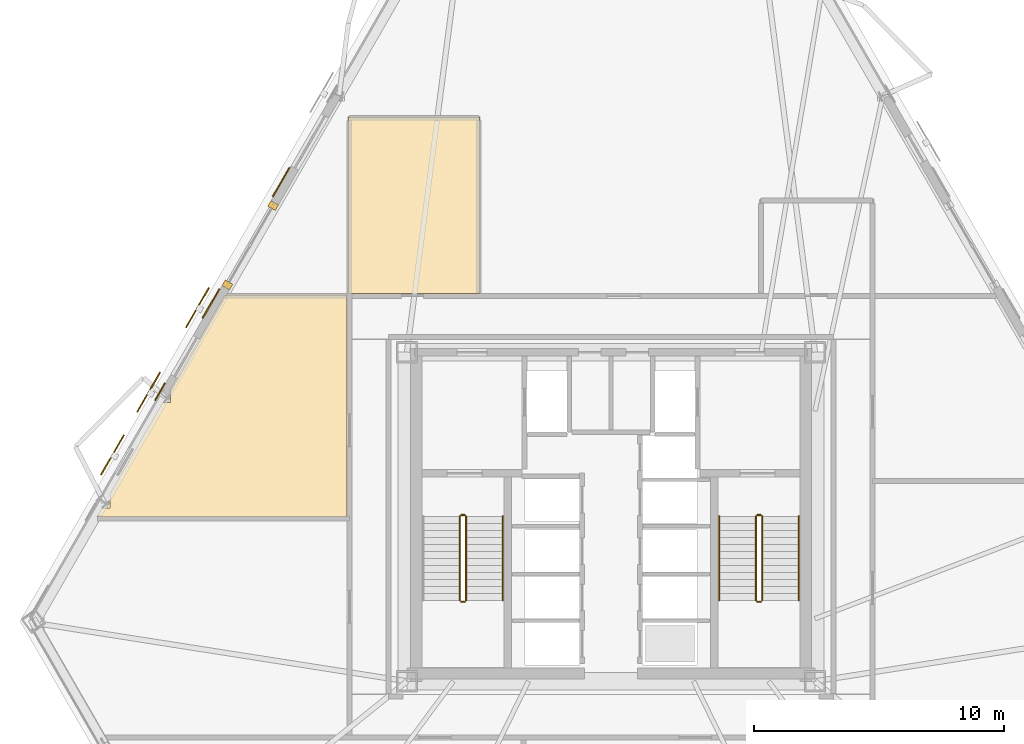
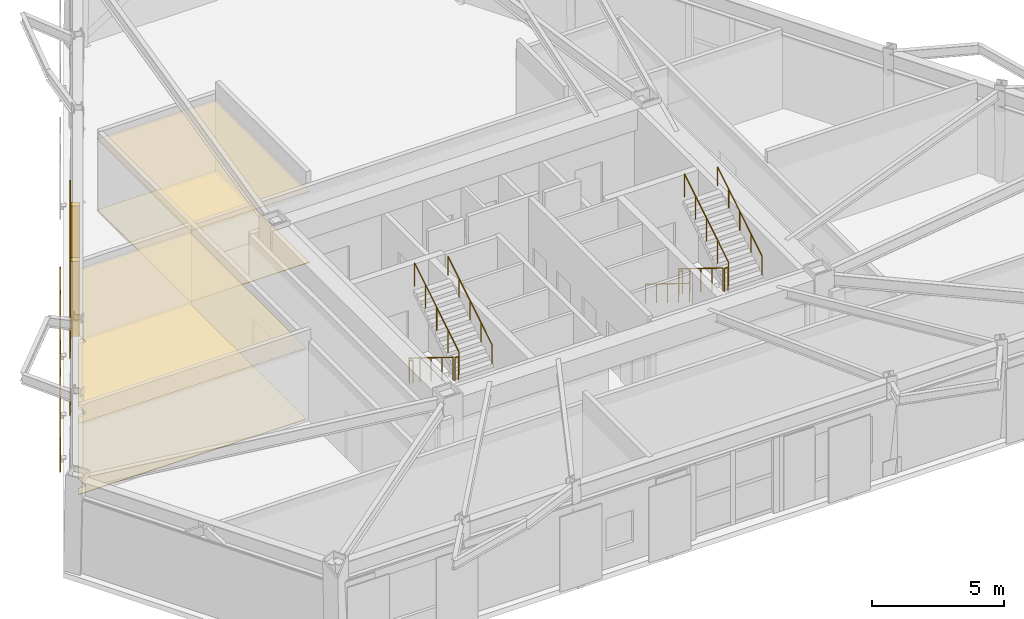
# One storey, part 12 of 14: 11 railings, 9 coverings, 3 shading devices.
"""IFC4 building model written with IfcOpenShell, lengths in metres."""

from ifc_helpers import new_model, si_unit, direction, frame, origin, origin_2d, place, context, subcontext, project, spatial, polyline, rectangle, circle, outline, extrude, material, layer, layer_set, type_object, element, save


model = new_model("IFC4")

# Units and contexts
model_context = context("Model", 3, precision=1e-05, world=origin(), true_north=direction((0.0, 1.0)))
body_context = subcontext(model_context, "Body", "Model", "MODEL_VIEW")
ifc_project = project(units=[si_unit("LENGTHUNIT", "METRE"), si_unit("AREAUNIT", "SQUARE_METRE"), si_unit("VOLUMEUNIT", "CUBIC_METRE"), si_unit("PLANEANGLEUNIT", "RADIAN"), si_unit("MASSUNIT", "GRAM", prefix="KILO")], contexts=[model_context])

# Site, building, storey
site_placement = place(None, origin())
site = spatial("IfcSite", under=ifc_project, at=site_placement, CompositionType="ELEMENT")
building_placement = place(site_placement, origin())
building = spatial("IfcBuilding", under=site, at=building_placement, Name="Oramaril Tower", CompositionType="ELEMENT")
storey_placement = place(building_placement, frame((0.0, 0.0, 107.699951171875)))
storey = spatial("IfcBuildingStorey", under=building, at=storey_placement, Name="L28", CompositionType="ELEMENT", Elevation=107.699951171875)

# Coverings
ifc_material_1 = material(Name="Mineral Fibre Acoustic Ceiling")
ifc_layer_1 = layer(ifc_material_1, 0.02001953125)
ifc_layer_set_1 = layer_set([ifc_layer_1], Name="CVT-CEIL")
covering_type_1 = type_object("IfcCoveringType", Name="CVT-CEIL", PredefinedType="CEILING", material=ifc_layer_set_1)
covering_1_placement = place(storey_placement, frame((0.0, 0.0, 3.2919921875)))
element("IfcCovering", 1, at=covering_1_placement, inside=storey, type_object=covering_type_1, Name="L28 Acoustic Suspended Ceiling 8", PredefinedType="CEILING", context=body_context, shape_type="SweptSolid", body=[
    extrude(outline(polyline([(17.152587890625, 17.92236328125), (17.478271484375, 17.92236328125), (17.478271484375, 18.433837890625), (17.44775390625, 18.433837890625), (19.585205078125, 22.1357421875), (19.91064453125, 22.1357421875), (19.91064453125, 22.6376953125), (19.875, 22.6376953125), (22.0712890625, 26.44189453125), (26.949951171875, 26.44189453125), (26.949951171875, 24.669921875), (26.9501953125, 24.66796875), (26.950439453125, 24.666015625), (26.950927734375, 24.664306640625), (26.951416015625, 24.662353515625), (26.952392578125, 24.66064453125), (26.95263671875, 24.659912109375), (26.952392578125, 24.659423828125), (26.951416015625, 24.65771484375), (26.950927734375, 24.65576171875), (26.950439453125, 24.65380859375), (26.9501953125, 24.652099609375), (26.949951171875, 24.64990234375), (26.949951171875, 17.56201171875), (16.944580078125, 17.56201171875), (17.152587890625, 17.92236328125)])), origin(), (0.0, 0.0, 1.0), 0.02001953125),
])
covering_2_placement = place(storey_placement, frame((0.0, 0.0, 3.2919921875)))
element("IfcCovering", 2, at=covering_2_placement, inside=storey, type_object=covering_type_1, Name="L28 Acoustic Suspended Ceiling 11", PredefinedType="CEILING", context=body_context, shape_type="SweptSolid", body=[
    extrude(outline(polyline([(32.241943359375, 33.5419921875), (32.241943359375, 26.5), (27.008056640625, 26.5), (27.008056640625, 33.5419921875), (32.241943359375, 33.5419921875)])), origin(), (0.0, 0.0, 1.0), 0.02001953125),
])
ifc_material_2 = material(Name="Warm Cream Limestone", Category="masonry")
ifc_layer_2 = layer(ifc_material_2, 0.050048828125)
ifc_layer_set_2 = layer_set([ifc_layer_2], Name="CVT-CLD")
covering_type_2 = type_object("IfcCoveringType", Name="CVT-CLD", PredefinedType="CLADDING", material=ifc_layer_set_2)
for number, where, z_axis, x_axis, name in (
    (3, (24.00390625, 30.005126953125, 0.0), (0.0, 0.0, 1.0), (-0.5, -0.866025403784, 0.0), "L28 Curtain Wall Limestone Jamb Closure"),
    (4, (22.173828125, 26.83544921875, 0.0), (0.0, 0.0, 1.0), (-0.5, -0.866025403784, 0.0), "L28 Curtain Wall Limestone Jamb Closure"),
):
    element("IfcCovering", number, at=place(storey_placement, frame(where, z_axis=z_axis, x_axis=x_axis)), inside=storey, type_object=covering_type_2, Name=name, PredefinedType="CLADDING", context=body_context, shape_type="SweptSolid", body=[
        extrude(rectangle(XDim=0.260009765625, YDim=0.340087890625, at=origin_2d()), origin(), (0.0, 0.0, 1.0), 3.47802734375),
    ])
for number, where, z_axis, x_axis, name in (
    (5, (24.32177734375, 30.941650390625, 0.0400390625), (0.0, 0.0, 1.0), (-0.4999984885, -0.866026276448, 0.0), "L28 Warm Cream Limestone Cladding"),
    (6, (21.521728515625, 26.091796875, 0.0400390625), (0.0, 0.0, 1.0), (-0.4999984885, -0.866026276448, 0.0), "L28 Warm Cream Limestone Cladding"),
):
    element("IfcCovering", number, at=place(storey_placement, frame(where, z_axis=z_axis, x_axis=x_axis)), inside=storey, type_object=covering_type_2, Name=name, PredefinedType="CLADDING", context=body_context, shape_type="SweptSolid", body=[
        extrude(rectangle(XDim=1.35009765625, YDim=0.050048828125, at=origin_2d()), origin(), (0.0, 0.0, 1.0), 3.39794921875),
    ])
covering_3_placement = place(storey_placement, frame((19.48486328125, 22.56396484375, 0.0400390625), z_axis=(0.0, 0.0, 1.0), x_axis=(-0.4999984885, -0.866026276448, 0.0)))
element("IfcCovering", 7, at=covering_3_placement, inside=storey, type_object=covering_type_2, Name="L28 Warm Cream Limestone Spandrel Cladding", PredefinedType="CLADDING", context=body_context, shape_type="SweptSolid", body=[
    extrude(rectangle(XDim=0.800048828125, YDim=0.050048828125, at=origin_2d()), origin(), (0.0, 0.0, 1.0), 0.679931640625),
])
ifc_material_3 = material(Name="Honed Quartzite Stone Flooring", Category="masonry")
ifc_layer_3 = layer(ifc_material_3, 0.02490234375)
ifc_layer_set_3 = layer_set([ifc_layer_3], Name="CVT-FLR")
covering_type_3 = type_object("IfcCoveringType", Name="CVT-FLR", PredefinedType="FLOORING", material=ifc_layer_set_3)
covering_4_placement = place(storey_placement, origin())
element("IfcCovering", 8, at=covering_4_placement, inside=storey, type_object=covering_type_3, Name="L28 Honed Stone Floor Finish 8", PredefinedType="FLOORING", context=body_context, shape_type="SweptSolid", body=[
    extrude(outline(polyline([(17.152587890625, 17.92236328125), (17.478271484375, 17.92236328125), (17.478271484375, 18.433837890625), (17.44775390625, 18.433837890625), (19.585205078125, 22.1357421875), (19.91064453125, 22.1357421875), (19.91064453125, 22.6376953125), (19.875, 22.6376953125), (22.0712890625, 26.44189453125), (26.949951171875, 26.44189453125), (26.949951171875, 24.669921875), (26.9501953125, 24.66796875), (26.950439453125, 24.666015625), (26.950927734375, 24.664306640625), (26.951416015625, 24.662353515625), (26.952392578125, 24.66064453125), (26.95263671875, 24.659912109375), (26.952392578125, 24.659423828125), (26.951416015625, 24.65771484375), (26.950927734375, 24.65576171875), (26.950439453125, 24.65380859375), (26.9501953125, 24.652099609375), (26.949951171875, 24.64990234375), (26.949951171875, 17.56201171875), (16.944580078125, 17.56201171875), (17.152587890625, 17.92236328125)])), origin(), (0.0, 0.0, 1.0), 0.025146484375),
])
covering_5_placement = place(storey_placement, origin())
element("IfcCovering", 9, at=covering_5_placement, inside=storey, type_object=covering_type_3, Name="L28 Honed Stone Floor Finish 11", PredefinedType="FLOORING", context=body_context, shape_type="SweptSolid", body=[
    extrude(outline(polyline([(32.241943359375, 33.5419921875), (32.241943359375, 26.5), (27.008056640625, 26.5), (27.008056640625, 33.5419921875), (32.241943359375, 33.5419921875)])), origin(), (0.0, 0.0, 1.0), 0.025146484375),
])

# Railings
ifc_material_4 = material(Name="Stainless Steel 316L", Category="steel")
railing_type_1 = type_object("IfcRailingType", Name="RLT-GRD", PredefinedType="GUARDRAIL", material=ifc_material_4)
railing_1_placement = place(storey_placement, frame((31.4599609375, 17.590087890625, 0.173095703125)))
element("IfcRailing", 10, at=railing_1_placement, inside=storey, type_object=railing_type_1, Name="L28 ST-1 stair guard 1", PredefinedType="GUARDRAIL", context=body_context, shape_type="SweptSolid", body=[
    extrude(circle(Radius=0.02392578125, at=origin_2d()), frame((0.0, 0.0, 1.076171875), z_axis=(0.0, -0.850623216509, 0.525775754039), x_axis=(1.0, 0.0, 0.0)), (0.0, 0.0, 1.0), 3.9501953125),
    extrude(circle(Radius=0.02099609375, at=origin_2d()), origin(), (0.0, 0.0, 1.0), 1.052001953125),
    extrude(circle(Radius=0.02099609375, at=origin_2d()), frame((0.0, -0.840087890625, 0.519287109375)), (0.0, 0.0, 1.0), 1.052001953125),
    extrude(circle(Radius=0.02099609375, at=origin_2d()), frame((0.0, -1.68017578125, 1.03857421875)), (0.0, 0.0, 1.0), 1.052001953125),
    extrude(circle(Radius=0.02099609375, at=origin_2d()), frame((0.0, -2.52001953125, 1.5576171875)), (0.0, 0.0, 1.0), 1.052001953125),
    extrude(circle(Radius=0.02099609375, at=origin_2d()), frame((0.0, -3.360107421875, 2.076904296875)), (0.0, 0.0, 1.0), 1.052001953125),
])
railing_2_placement = place(storey_placement, frame((31.510009765625, 14.179931640625, 2.25)))
element("IfcRailing", 11, at=railing_2_placement, inside=storey, type_object=railing_type_1, Name="L28 ST-1 stair guard 2", PredefinedType="GUARDRAIL", context=body_context, shape_type="SweptSolid", body=[
    extrude(circle(Radius=0.02392578125, at=origin_2d()), frame((0.0, 0.0, 1.076171875), z_axis=(1.0, 0.0, 0.0), x_axis=(0.0, 1.0, 0.0)), (0.0, 0.0, 1.0), 0.14990234375),
    extrude(circle(Radius=0.02099609375, at=origin_2d()), origin(), (0.0, 0.0, 1.0), 1.052001953125),
    extrude(circle(Radius=0.02099609375, at=origin_2d()), frame((0.14990234375, 0.0, 0.0)), (0.0, 0.0, 1.0), 1.052001953125),
])
railing_3_placement = place(storey_placement, frame((31.7099609375, 14.22998046875, 2.423095703125)))
element("IfcRailing", 12, at=railing_3_placement, inside=storey, type_object=railing_type_1, Name="L28 ST-1 stair guard 3", PredefinedType="GUARDRAIL", context=body_context, shape_type="SweptSolid", body=[
    extrude(circle(Radius=0.02392578125, at=origin_2d()), frame((0.0, 0.0, 1.076171875), z_axis=(0.0, 0.850623216509, 0.525775754039), x_axis=(-1.0, 0.0, 0.0)), (0.0, 0.0, 1.0), 3.9501953125),
    extrude(circle(Radius=0.02099609375, at=origin_2d()), origin(), (0.0, 0.0, 1.0), 1.052001953125),
    extrude(circle(Radius=0.02099609375, at=origin_2d()), frame((0.0, 0.840087890625, 0.519287109375)), (0.0, 0.0, 1.0), 1.052001953125),
    extrude(circle(Radius=0.02099609375, at=origin_2d()), frame((0.0, 1.68017578125, 1.03857421875)), (0.0, 0.0, 1.0), 1.052001953125),
    extrude(circle(Radius=0.02099609375, at=origin_2d()), frame((0.0, 2.52001953125, 1.5576171875)), (0.0, 0.0, 1.0), 1.052001953125),
    extrude(circle(Radius=0.02099609375, at=origin_2d()), frame((0.0, 3.360107421875, 2.076904296875)), (0.0, 0.0, 1.0), 1.052001953125),
])
railing_4_placement = place(storey_placement, frame((31.510009765625, 17.639892578125, 0.0)))
element("IfcRailing", 13, at=railing_4_placement, inside=storey, type_object=railing_type_1, Name="L28 ST-1 stair guard 4", PredefinedType="GUARDRAIL", context=body_context, shape_type="SweptSolid", body=[
    extrude(circle(Radius=0.02392578125, at=origin_2d()), frame((0.0, 0.0, 1.076171875), z_axis=(1.0, 0.0, 0.0), x_axis=(0.0, 1.0, 0.0)), (0.0, 0.0, 1.0), 0.14990234375),
    extrude(circle(Radius=0.02099609375, at=origin_2d()), origin(), (0.0, 0.0, 1.0), 1.052001953125),
    extrude(circle(Radius=0.02099609375, at=origin_2d()), frame((0.14990234375, 0.0, 0.0)), (0.0, 0.0, 1.0), 1.052001953125),
])
railing_5_placement = place(storey_placement, frame((43.2900390625, 17.590087890625, 0.173095703125)))
element("IfcRailing", 14, at=railing_5_placement, inside=storey, type_object=railing_type_1, Name="L28 ST-2 stair guard 1", PredefinedType="GUARDRAIL", context=body_context, shape_type="SweptSolid", body=[
    extrude(circle(Radius=0.02392578125, at=origin_2d()), frame((0.0, 0.0, 1.076171875), z_axis=(0.0, -0.850623216509, 0.525775754039), x_axis=(1.0, 0.0, 0.0)), (0.0, 0.0, 1.0), 3.9501953125),
    extrude(circle(Radius=0.02099609375, at=origin_2d()), origin(), (0.0, 0.0, 1.0), 1.052001953125),
    extrude(circle(Radius=0.02099609375, at=origin_2d()), frame((0.0, -0.840087890625, 0.519287109375)), (0.0, 0.0, 1.0), 1.052001953125),
    extrude(circle(Radius=0.02099609375, at=origin_2d()), frame((0.0, -1.68017578125, 1.03857421875)), (0.0, 0.0, 1.0), 1.052001953125),
    extrude(circle(Radius=0.02099609375, at=origin_2d()), frame((0.0, -2.52001953125, 1.5576171875)), (0.0, 0.0, 1.0), 1.052001953125),
    extrude(circle(Radius=0.02099609375, at=origin_2d()), frame((0.0, -3.360107421875, 2.076904296875)), (0.0, 0.0, 1.0), 1.052001953125),
])
railing_6_placement = place(storey_placement, frame((43.340087890625, 14.179931640625, 2.25)))
element("IfcRailing", 15, at=railing_6_placement, inside=storey, type_object=railing_type_1, Name="L28 ST-2 stair guard 2", PredefinedType="GUARDRAIL", context=body_context, shape_type="SweptSolid", body=[
    extrude(circle(Radius=0.02392578125, at=origin_2d()), frame((0.0, 0.0, 1.076171875), z_axis=(1.0, 0.0, 0.0), x_axis=(0.0, 1.0, 0.0)), (0.0, 0.0, 1.0), 0.14990234375),
    extrude(circle(Radius=0.02099609375, at=origin_2d()), origin(), (0.0, 0.0, 1.0), 1.052001953125),
    extrude(circle(Radius=0.02099609375, at=origin_2d()), frame((0.14990234375, 0.0, 0.0)), (0.0, 0.0, 1.0), 1.052001953125),
])
railing_7_placement = place(storey_placement, frame((43.5400390625, 14.22998046875, 2.423095703125)))
element("IfcRailing", 16, at=railing_7_placement, inside=storey, type_object=railing_type_1, Name="L28 ST-2 stair guard 3", PredefinedType="GUARDRAIL", context=body_context, shape_type="SweptSolid", body=[
    extrude(circle(Radius=0.02392578125, at=origin_2d()), frame((0.0, 0.0, 1.076171875), z_axis=(0.0, 0.850623216509, 0.525775754039), x_axis=(-1.0, 0.0, 0.0)), (0.0, 0.0, 1.0), 3.9501953125),
    extrude(circle(Radius=0.02099609375, at=origin_2d()), origin(), (0.0, 0.0, 1.0), 1.052001953125),
    extrude(circle(Radius=0.02099609375, at=origin_2d()), frame((0.0, 0.840087890625, 0.519287109375)), (0.0, 0.0, 1.0), 1.052001953125),
    extrude(circle(Radius=0.02099609375, at=origin_2d()), frame((0.0, 1.68017578125, 1.03857421875)), (0.0, 0.0, 1.0), 1.052001953125),
    extrude(circle(Radius=0.02099609375, at=origin_2d()), frame((0.0, 2.52001953125, 1.5576171875)), (0.0, 0.0, 1.0), 1.052001953125),
    extrude(circle(Radius=0.02099609375, at=origin_2d()), frame((0.0, 3.360107421875, 2.076904296875)), (0.0, 0.0, 1.0), 1.052001953125),
])
railing_8_placement = place(storey_placement, frame((43.340087890625, 17.639892578125, 0.0)))
element("IfcRailing", 17, at=railing_8_placement, inside=storey, type_object=railing_type_1, Name="L28 ST-2 stair guard 4", PredefinedType="GUARDRAIL", context=body_context, shape_type="SweptSolid", body=[
    extrude(circle(Radius=0.02392578125, at=origin_2d()), frame((0.0, 0.0, 1.076171875), z_axis=(1.0, 0.0, 0.0), x_axis=(0.0, 1.0, 0.0)), (0.0, 0.0, 1.0), 0.14990234375),
    extrude(circle(Radius=0.02099609375, at=origin_2d()), origin(), (0.0, 0.0, 1.0), 1.052001953125),
    extrude(circle(Radius=0.02099609375, at=origin_2d()), frame((0.14990234375, 0.0, 0.0)), (0.0, 0.0, 1.0), 1.052001953125),
])
ifc_material_5 = material(Name="Stainless Steel 316L", Category="steel")
railing_type_2 = type_object("IfcRailingType", Name="RLT-HND", PredefinedType="HANDRAIL", material=ifc_material_5)
railing_9_placement = place(storey_placement, frame((33.169921875, 14.22998046875, 2.423095703125)))
element("IfcRailing", 18, at=railing_9_placement, inside=storey, type_object=railing_type_2, Name="L28 ST-1 stair handrail 2", PredefinedType="HANDRAIL", context=body_context, shape_type="SweptSolid", body=[
    extrude(circle(Radius=0.02392578125, at=origin_2d()), frame((0.0, 0.0, 0.8759765625), z_axis=(0.0, 0.850623216509, 0.525775754039), x_axis=(-1.0, 0.0, 0.0)), (0.0, 0.0, 1.0), 3.9501953125),
    extrude(circle(Radius=0.02099609375, at=origin_2d()), origin(), (0.0, 0.0, 1.0), 0.851806640625),
    extrude(circle(Radius=0.02099609375, at=origin_2d()), frame((0.0, 0.840087890625, 0.519287109375)), (0.0, 0.0, 1.0), 0.851806640625),
    extrude(circle(Radius=0.02099609375, at=origin_2d()), frame((0.0, 1.68017578125, 1.03857421875)), (0.0, 0.0, 1.0), 0.851806640625),
    extrude(circle(Radius=0.02099609375, at=origin_2d()), frame((0.0, 2.52001953125, 1.5576171875)), (0.0, 0.0, 1.0), 0.851806640625),
    extrude(circle(Radius=0.02099609375, at=origin_2d()), frame((0.0, 3.360107421875, 2.076904296875)), (0.0, 0.0, 1.0), 0.851806640625),
])
railing_10_placement = place(storey_placement, frame((41.830078125, 17.590087890625, 0.173095703125)))
element("IfcRailing", 19, at=railing_10_placement, inside=storey, type_object=railing_type_2, Name="L28 ST-2 stair handrail 1", PredefinedType="HANDRAIL", context=body_context, shape_type="SweptSolid", body=[
    extrude(circle(Radius=0.02392578125, at=origin_2d()), frame((0.0, 0.0, 0.8759765625), z_axis=(0.0, -0.850623216509, 0.525775754039), x_axis=(1.0, 0.0, 0.0)), (0.0, 0.0, 1.0), 3.9501953125),
    extrude(circle(Radius=0.02099609375, at=origin_2d()), origin(), (0.0, 0.0, 1.0), 0.851806640625),
    extrude(circle(Radius=0.02099609375, at=origin_2d()), frame((0.0, -0.840087890625, 0.519287109375)), (0.0, 0.0, 1.0), 0.851806640625),
    extrude(circle(Radius=0.02099609375, at=origin_2d()), frame((0.0, -1.68017578125, 1.03857421875)), (0.0, 0.0, 1.0), 0.851806640625),
    extrude(circle(Radius=0.02099609375, at=origin_2d()), frame((0.0, -2.52001953125, 1.5576171875)), (0.0, 0.0, 1.0), 0.851806640625),
    extrude(circle(Radius=0.02099609375, at=origin_2d()), frame((0.0, -3.360107421875, 2.076904296875)), (0.0, 0.0, 1.0), 0.851806640625),
])
railing_11_placement = place(storey_placement, frame((45.0, 14.22998046875, 2.423095703125)))
element("IfcRailing", 20, at=railing_11_placement, inside=storey, type_object=railing_type_2, Name="L28 ST-2 stair handrail 2", PredefinedType="HANDRAIL", context=body_context, shape_type="SweptSolid", body=[
    extrude(circle(Radius=0.02392578125, at=origin_2d()), frame((0.0, 0.0, 0.8759765625), z_axis=(0.0, 0.850623216509, 0.525775754039), x_axis=(-1.0, 0.0, 0.0)), (0.0, 0.0, 1.0), 3.9501953125),
    extrude(circle(Radius=0.02099609375, at=origin_2d()), origin(), (0.0, 0.0, 1.0), 0.851806640625),
    extrude(circle(Radius=0.02099609375, at=origin_2d()), frame((0.0, 0.840087890625, 0.519287109375)), (0.0, 0.0, 1.0), 0.851806640625),
    extrude(circle(Radius=0.02099609375, at=origin_2d()), frame((0.0, 1.68017578125, 1.03857421875)), (0.0, 0.0, 1.0), 0.851806640625),
    extrude(circle(Radius=0.02099609375, at=origin_2d()), frame((0.0, 2.52001953125, 1.5576171875)), (0.0, 0.0, 1.0), 0.851806640625),
    extrude(circle(Radius=0.02099609375, at=origin_2d()), frame((0.0, 3.360107421875, 2.076904296875)), (0.0, 0.0, 1.0), 0.851806640625),
])

# Shading devices
for number, where, z_axis, x_axis, name in (
    (21, (20.980712890625, 25.92919921875, -0.02001953125), (0.0, 0.0, 1.0), (-0.5, -0.866025403784, 0.0), "L28 Perforated Ceramic Solar Screen"),
    (22, (19.03076171875, 22.551513671875, -0.02001953125), (0.0, 0.0, 1.0), (-0.5, -0.866025403784, 0.0), "L28 Perforated Ceramic Solar Screen"),
    (23, (17.584716796875, 20.046875, -0.02001953125), (0.0, 0.0, 1.0), (-0.5, -0.866025403784, 0.0), "L28 Perforated Ceramic Solar Screen"),
):
    element("IfcShadingDevice", number, at=place(storey_placement, frame(where, z_axis=z_axis, x_axis=x_axis)), inside=storey, Name=name, ObjectType="SCREEN", PredefinedType="USERDEFINED", context=body_context, shape_type="SweptSolid", body=[
        extrude(rectangle(XDim=1.8330078125, YDim=0.050048828125, at=origin_2d()), origin(), (0.0, 0.0, 1.0), 3.47802734375),
    ])

save(model, "model.ifc")
